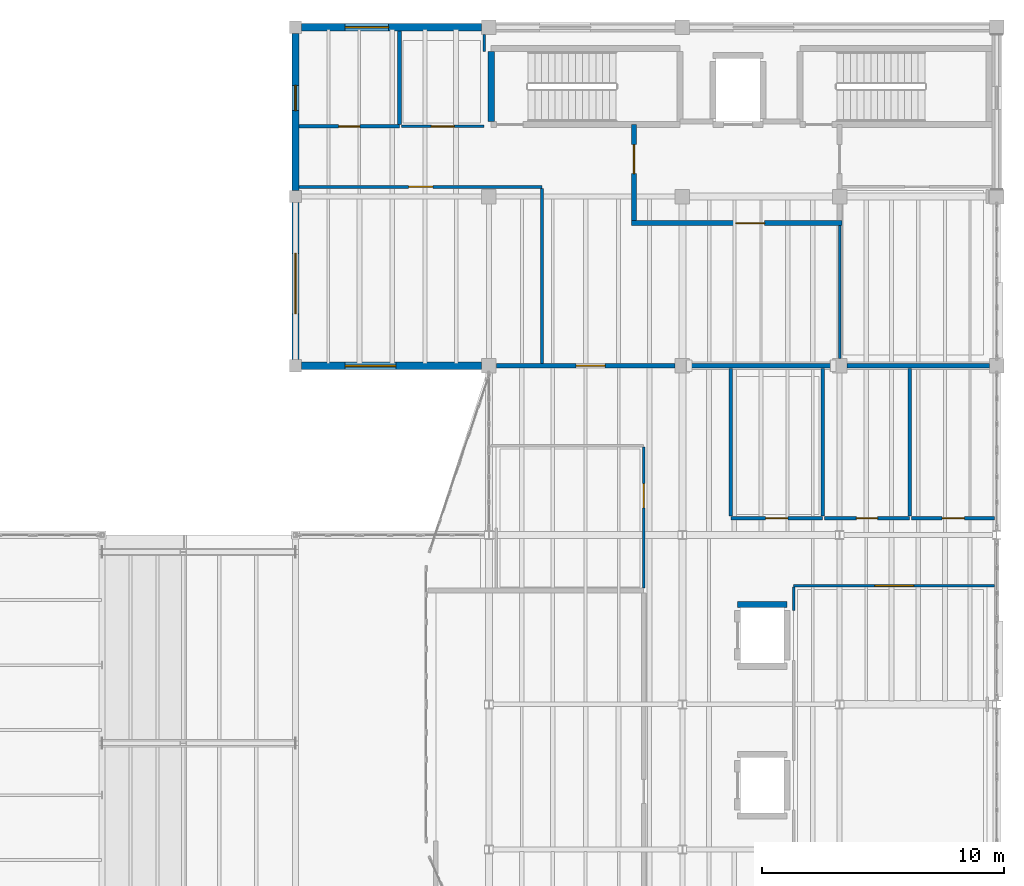
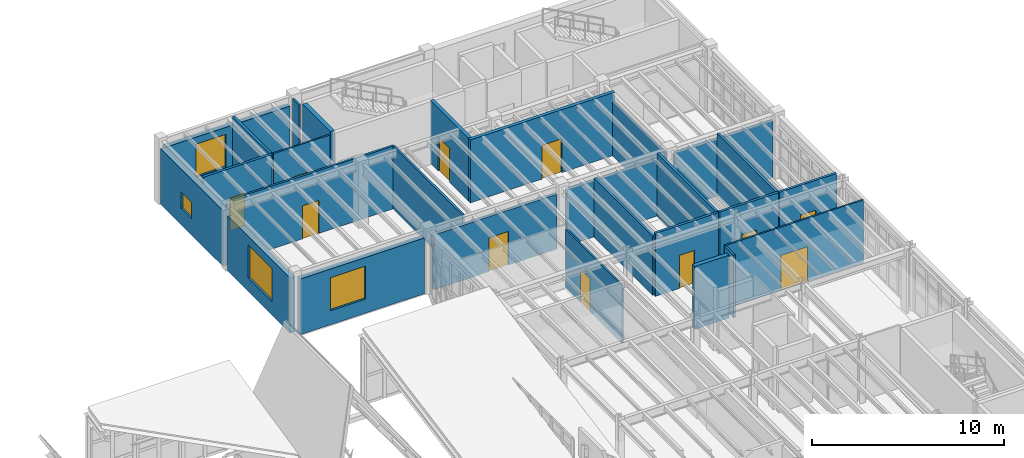
# One storey, part 73 of 77: 27 walls, 11 doors, 4 windows, 15 openings.
"""IFC4 building model written with IfcOpenShell, lengths in metres."""

from ifc_helpers import new_model, si_unit, direction, frame, frame_2d, origin, place, context, subcontext, project, spatial, rectangle, extrude, material, layer, layer_set, type_object, element, fill, save


model = new_model("IFC4")

# Units and contexts
model_context = context("Model", 3, precision=1e-05, world=origin(), true_north=direction((0.0, 1.0)))
body_context = subcontext(model_context, "Body", "Model", "MODEL_VIEW")
ifc_project = project(units=[si_unit("LENGTHUNIT", "METRE"), si_unit("AREAUNIT", "SQUARE_METRE"), si_unit("VOLUMEUNIT", "CUBIC_METRE"), si_unit("PLANEANGLEUNIT", "RADIAN"), si_unit("MASSUNIT", "GRAM", prefix="KILO"), si_unit("THERMODYNAMICTEMPERATUREUNIT", "KELVIN"), si_unit("POWERUNIT", "WATT")], contexts=[model_context])

# Site, building, storey
site_placement = place(None, origin())
site = spatial("IfcSite", under=ifc_project, at=site_placement, CompositionType="ELEMENT")
building_placement = place(site_placement, origin())
building = spatial("IfcBuilding", under=site, at=building_placement, Name="Zhenchuan Central Fire Station", CompositionType="ELEMENT")
storey_placement = place(building_placement, frame((0.0, 0.0, 10.050048828125)))
storey = spatial("IfcBuildingStorey", under=building, at=storey_placement, Name="L03", CompositionType="ELEMENT", Elevation=10.050048828125)

# Wall, opening, window
ifc_material_1 = material(Name="Sintered clay brick masonry MU15", Category="masonry")
ifc_layer_1 = layer(ifc_material_1, 0.300048828125, Name="Sintered clay brick masonry MU15", Category="masonry")
ifc_layer_set_1 = layer_set([ifc_layer_1], Name="Sintered clay brick masonry MU15")
wall_type_1 = type_object("IfcWallType", Name="EW-BRK300", PredefinedType="SOLIDWALL", material=ifc_layer_set_1)
wall_1_placement = place(storey_placement, frame((132.25, 56.5, 0.0), z_axis=(0.0, 0.0, 1.0), x_axis=(1.0, 0.0, 0.0)))
wall_1 = element("IfcWall", 1, at=wall_1_placement, inside=storey, type_object=wall_type_1, Name="EW-L03-V6N-0", PredefinedType="SOLIDWALL", context=body_context, shape_type="SweptSolid", body=[
    extrude(rectangle(XDim=7.449951171875, YDim=0.300048828125, at=frame_2d((3.72509765625, 0.0))), origin(), (0.0, 0.0, 1.0), 3.44384765625),
])
opening_1_placement = place(wall_1_placement, frame((1.800048828125, 0.0, 0.89990234375)))
opening_1 = element("IfcOpeningElement", 2, at=opening_1_placement, cuts=wall_1, Name="Opening W-35", PredefinedType="OPENING", context=body_context, shape_type="SweptSolid", body=[
    extrude(rectangle(XDim=1.800048828125, YDim=2.10009765625, at=frame_2d((0.89990234375, 1.050048828125))), frame((0.0, 0.159912109375, 0.0), z_axis=(0.0, -1.0, 0.0), x_axis=(1.0, 0.0, 0.0)), (0.0, 0.0, 1.0), 0.320068359375),
])
ifc_material_2 = material(Name="Laminated low-E double glazing in aluminium frame", Category="aluminium")
window_type_1 = type_object("IfcWindowType", Name="WN-35", PartitioningType="SINGLE_PANEL", PredefinedType="WINDOW", material=ifc_material_2)
window_1_placement = place(opening_1_placement, origin())
window_1 = element("IfcWindow", 3, at=window_1_placement, inside=storey, type_object=window_type_1, Name="Exterior Window 0113", OverallHeight=2.10009765625, OverallWidth=1.800048828125, PartitioningType="SINGLE_PANEL", PredefinedType="WINDOW", context=body_context, shape_type="SweptSolid", body=[
    extrude(rectangle(XDim=1.800048828125, YDim=2.10009765625, at=frame_2d((0.89990234375, 1.050048828125))), frame((0.0, 0.030029296875, 0.0), z_axis=(0.0, -1.0, 0.0), x_axis=(1.0, 0.0, 0.0)), (0.0, 0.0, 1.0), 0.06005859375),
])
fill(opening_1, window_1)

wall_2_placement = place(storey_placement, frame((132.0, 42.75, 0.0), z_axis=(0.0, 0.0, 1.0), x_axis=(0.0, 1.0, 0.0)))
wall_2 = element("IfcWall", 4, at=wall_2_placement, inside=storey, type_object=wall_type_1, Name="EW-L03-V6W-0", PredefinedType="SOLIDWALL", context=body_context, shape_type="SweptSolid", body=[
    extrude(rectangle(XDim=6.5, YDim=0.300048828125, at=frame_2d((3.25, 0.0))), origin(), (0.0, 0.0, 1.0), 3.493896484375),
])
opening_2_placement = place(wall_2_placement, frame((1.89990234375, 0.0, 0.85009765625)))
opening_2 = element("IfcOpeningElement", 5, at=opening_2_placement, cuts=wall_2, Name="Opening W-37", PredefinedType="OPENING", context=body_context, shape_type="SweptSolid", body=[
    extrude(rectangle(XDim=2.5, YDim=2.10009765625, at=frame_2d((1.25, 1.050048828125))), frame((0.0, 0.159912109375, 0.0), z_axis=(0.0, -1.0, 0.0), x_axis=(1.0, 0.0, 0.0)), (0.0, 0.0, 1.0), 0.320068359375),
])
window_type_2 = type_object("IfcWindowType", Name="WN-37", PartitioningType="SINGLE_PANEL", PredefinedType="WINDOW", material=ifc_material_2)
window_2_placement = place(opening_2_placement, origin())
window_2 = element("IfcWindow", 6, at=window_2_placement, inside=storey, type_object=window_type_2, Name="Exterior Window 0117", OverallHeight=2.10009765625, OverallWidth=2.5, PartitioningType="SINGLE_PANEL", PredefinedType="WINDOW", context=body_context, shape_type="SweptSolid", body=[
    extrude(rectangle(XDim=2.5, YDim=2.10009765625, at=frame_2d((1.25, 1.050048828125))), frame((0.0, 0.030029296875, 0.0), z_axis=(0.0, -1.0, 0.0), x_axis=(1.0, 0.0, 0.0)), (0.0, 0.0, 1.0), 0.06005859375),
])
fill(opening_2, window_2)

wall_3_placement = place(storey_placement, frame((132.0, 49.75, 0.0), z_axis=(0.0, 0.0, 1.0), x_axis=(0.0, 1.0, 0.0)))
wall_3 = element("IfcWall", 7, at=wall_3_placement, inside=storey, type_object=wall_type_1, Name="EW-L03-V6W-1", PredefinedType="SOLIDWALL", context=body_context, shape_type="SweptSolid", body=[
    extrude(rectangle(XDim=6.5, YDim=0.300048828125, at=frame_2d((3.25, 0.0))), origin(), (0.0, 0.0, 1.0), 3.5439453125),
])
opening_3_placement = place(wall_3_placement, frame((3.300048828125, 0.0, 1.050048828125)))
opening_3 = element("IfcOpeningElement", 8, at=opening_3_placement, cuts=wall_3, Name="Opening W-05", PredefinedType="OPENING", context=body_context, shape_type="SweptSolid", body=[
    extrude(rectangle(XDim=1.050048828125, YDim=1.050048828125, at=frame_2d((0.52490234375, 0.52490234375))), frame((0.0, 0.159912109375, 0.0), z_axis=(0.0, -1.0, 0.0), x_axis=(1.0, 0.0, 0.0)), (0.0, 0.0, 1.0), 0.320068359375),
])
window_type_3 = type_object("IfcWindowType", Name="WN-05", PartitioningType="SINGLE_PANEL", PredefinedType="WINDOW", material=ifc_material_2)
window_3_placement = place(opening_3_placement, origin())
window_3 = element("IfcWindow", 9, at=window_3_placement, inside=storey, type_object=window_type_3, Name="Exterior Window 0118", OverallHeight=1.050048828125, OverallWidth=1.050048828125, PartitioningType="SINGLE_PANEL", PredefinedType="WINDOW", context=body_context, shape_type="SweptSolid", body=[
    extrude(rectangle(XDim=1.050048828125, YDim=1.050048828125, at=frame_2d((0.52490234375, 0.52490234375))), frame((0.0, 0.030029296875, 0.0), z_axis=(0.0, -1.0, 0.0), x_axis=(1.0, 0.0, 0.0)), (0.0, 0.0, 1.0), 0.06005859375),
])
fill(opening_3, window_3)

wall_4_placement = place(storey_placement, frame((132.25, 42.5, 0.0), z_axis=(0.0, 0.0, 1.0), x_axis=(1.0, 0.0, 0.0)))
wall_4 = element("IfcWall", 10, at=wall_4_placement, inside=storey, type_object=wall_type_1, Name="EW-L03-V6S-0", PredefinedType="SOLIDWALL", context=body_context, shape_type="SweptSolid", body=[
    extrude(rectangle(XDim=7.449951171875, YDim=0.300048828125, at=frame_2d((3.72509765625, 0.0))), origin(), (0.0, 0.0, 1.0), 3.5439453125),
])
opening_4_placement = place(wall_4_placement, frame((1.800048828125, 0.0, 0.89990234375)))
opening_4 = element("IfcOpeningElement", 11, at=opening_4_placement, cuts=wall_4, Name="Opening W-36", PredefinedType="OPENING", context=body_context, shape_type="SweptSolid", body=[
    extrude(rectangle(XDim=2.10009765625, YDim=2.10009765625, at=frame_2d((1.050048828125, 1.050048828125))), frame((0.0, 0.159912109375, 0.0), z_axis=(0.0, -1.0, 0.0), x_axis=(1.0, 0.0, 0.0)), (0.0, 0.0, 1.0), 0.320068359375),
])
window_type_4 = type_object("IfcWindowType", Name="WN-36", PartitioningType="SINGLE_PANEL", PredefinedType="WINDOW", material=ifc_material_2)
window_4_placement = place(opening_4_placement, origin())
window_4 = element("IfcWindow", 12, at=window_4_placement, inside=storey, type_object=window_type_4, Name="Exterior Window 0119", OverallHeight=2.10009765625, OverallWidth=2.10009765625, PartitioningType="SINGLE_PANEL", PredefinedType="WINDOW", context=body_context, shape_type="SweptSolid", body=[
    extrude(rectangle(XDim=2.10009765625, YDim=2.10009765625, at=frame_2d((1.050048828125, 1.050048828125))), frame((0.0, 0.030029296875, 0.0), z_axis=(0.0, -1.0, 0.0), x_axis=(1.0, 0.0, 0.0)), (0.0, 0.0, 1.0), 0.06005859375),
])
fill(opening_4, window_4)

# Wall, opening, door
ifc_material_3 = material(Name="Autoclaved aerated concrete blockwork", Category="masonry")
ifc_layer_2 = layer(ifc_material_3, 0.14990234375, Name="Autoclaved aerated concrete blockwork", Category="masonry")
ifc_layer_set_2 = layer_set([ifc_layer_2], Name="Autoclaved aerated concrete blockwork")
wall_type_2 = type_object("IfcWallType", Name="IW-BLK150", PredefinedType="PARTITIONING", material=ifc_layer_set_2)
wall_5_placement = place(storey_placement, frame((150.0, 36.199951171875, 0.0), z_axis=(0.0, 0.0, 1.0), x_axis=(1.0, 0.0, 0.0)))
wall_5 = element("IfcWall", 13, at=wall_5_placement, inside=storey, type_object=wall_type_2, Name="Command Level Male WC S Partition", PredefinedType="PARTITIONING", context=body_context, shape_type="SweptSolid", body=[
    extrude(rectangle(XDim=3.800048828125, YDim=0.14990234375, at=frame_2d((1.89990234375, 0.0))), origin(), (0.0, 0.0, 1.0), 4.0),
])
opening_5_placement = place(wall_5_placement, frame((1.43994140625, 0.0, 0.0)))
opening_5 = element("IfcOpeningElement", 14, at=opening_5_placement, cuts=wall_5, Name="Opening D-164", PredefinedType="OPENING", context=body_context, shape_type="SweptSolid", body=[
    extrude(rectangle(XDim=0.919921875, YDim=2.10009765625, at=frame_2d((0.4599609375, 1.050048828125))), frame((0.0, 0.0849609375, 0.0), z_axis=(0.0, -1.0, 0.0), x_axis=(1.0, 0.0, 0.0)), (0.0, 0.0, 1.0), 0.169921875),
])
ifc_material_4 = material(Name="Moisture-resistant accessible WC door")
door_type_1 = type_object("IfcDoorType", Name="ID-WC-092x210", OperationType="NOTDEFINED", PredefinedType="DOOR", material=ifc_material_4)
door_1_placement = place(opening_5_placement, origin())
door_1 = element("IfcDoor", 15, at=door_1_placement, inside=storey, type_object=door_type_1, Name="Command Level Male WC Door", OperationType="SINGLE_SWING_RIGHT", OverallHeight=2.10009765625, OverallWidth=0.919921875, PredefinedType="DOOR", context=body_context, shape_type="SweptSolid", body=[
    extrude(rectangle(XDim=0.919921875, YDim=2.10009765625, at=frame_2d((0.4599609375, 1.050048828125))), frame((0.0, 0.02490234375, 0.0), z_axis=(0.0, -1.0, 0.0), x_axis=(1.0, 0.0, 0.0)), (0.0, 0.0, 1.0), 0.050048828125),
])
fill(opening_5, door_1)

# Walls
wall_6_placement = place(storey_placement, frame((150.0, 36.278076171875, 0.0), z_axis=(0.0, 0.0, 1.0), x_axis=(0.0, 1.0, 0.0)))
element("IfcWall", 16, at=wall_6_placement, inside=storey, type_object=wall_type_2, Name="Command Level Male WC W Partition", PredefinedType="PARTITIONING", context=body_context, shape_type="SweptSolid", body=[
    extrude(rectangle(XDim=6.118896484375, YDim=0.14990234375, at=frame_2d((3.0595703125, 0.0))), origin(), (0.0, 0.0, 1.0), 3.75),
])
wall_7_placement = place(storey_placement, frame((153.800048828125, 36.278076171875, 0.0), z_axis=(0.0, 0.0, 1.0), x_axis=(0.0, 1.0, 0.0)))
element("IfcWall", 17, at=wall_7_placement, inside=storey, type_object=wall_type_2, Name="Command Level Male WC E Partition", PredefinedType="PARTITIONING", context=body_context, shape_type="SweptSolid", body=[
    extrude(rectangle(XDim=6.118896484375, YDim=0.14990234375, at=frame_2d((3.0595703125, 0.0))), origin(), (0.0, 0.0, 1.0), 4.0),
])

# Wall, opening, door
wall_8_placement = place(storey_placement, frame((153.8779296875, 36.199951171875, 0.0), z_axis=(0.0, 0.0, 1.0), x_axis=(1.0, 0.0, 0.0)))
wall_8 = element("IfcWall", 18, at=wall_8_placement, inside=storey, type_object=wall_type_2, Name="Command Level Female WC S Partition", PredefinedType="PARTITIONING", context=body_context, shape_type="SweptSolid", body=[
    extrude(rectangle(XDim=3.52197265625, YDim=0.14990234375, at=frame_2d((1.760986328125, 0.0))), origin(), (0.0, 0.0, 1.0), 4.0),
])
opening_6_placement = place(wall_8_placement, frame((1.321044921875, 0.0, 0.0)))
opening_6 = element("IfcOpeningElement", 19, at=opening_6_placement, cuts=wall_8, Name="Opening D-165", PredefinedType="OPENING", context=body_context, shape_type="SweptSolid", body=[
    extrude(rectangle(XDim=0.8798828125, YDim=2.10009765625, at=frame_2d((0.43994140625, 1.050048828125))), frame((0.0, 0.0849609375, 0.0), z_axis=(0.0, -1.0, 0.0), x_axis=(1.0, 0.0, 0.0)), (0.0, 0.0, 1.0), 0.169921875),
])
ifc_material_5 = material(Name="Moisture-resistant washroom door")
door_type_2 = type_object("IfcDoorType", Name="ID-WC-088x210", OperationType="NOTDEFINED", PredefinedType="DOOR", material=ifc_material_5)
door_2_placement = place(opening_6_placement, origin())
door_2 = element("IfcDoor", 20, at=door_2_placement, inside=storey, type_object=door_type_2, Name="Command Level Female WC Door", OperationType="SINGLE_SWING_LEFT", OverallHeight=2.10009765625, OverallWidth=0.8798828125, PredefinedType="DOOR", context=body_context, shape_type="SweptSolid", body=[
    extrude(rectangle(XDim=0.8798828125, YDim=2.10009765625, at=frame_2d((0.43994140625, 1.050048828125))), frame((0.0, 0.02490234375, 0.0), z_axis=(0.0, -1.0, 0.0), x_axis=(1.0, 0.0, 0.0)), (0.0, 0.0, 1.0), 0.050048828125),
])
fill(opening_6, door_2)

# Wall
wall_9_placement = place(storey_placement, frame((157.39990234375, 36.278076171875, 0.0), z_axis=(0.0, 0.0, 1.0), x_axis=(0.0, 1.0, 0.0)))
element("IfcWall", 21, at=wall_9_placement, inside=storey, type_object=wall_type_2, Name="Command Level Female WC E Partition", PredefinedType="PARTITIONING", context=body_context, shape_type="SweptSolid", body=[
    extrude(rectangle(XDim=6.118896484375, YDim=0.14990234375, at=frame_2d((3.0595703125, 0.0))), origin(), (0.0, 0.0, 1.0), 4.0),
])

# Wall, opening, door
wall_10_placement = place(storey_placement, frame((157.47802734375, 36.199951171875, 0.0), z_axis=(0.0, 0.0, 1.0), x_axis=(1.0, 0.0, 0.0)))
wall_10 = element("IfcWall", 22, at=wall_10_placement, inside=storey, type_object=wall_type_2, Name="Command Level Accessible WC S Partition", PredefinedType="PARTITIONING", context=body_context, shape_type="SweptSolid", body=[
    extrude(rectangle(XDim=3.43896484375, YDim=0.14990234375, at=frame_2d((1.719482421875, 0.0))), origin(), (0.0, 0.0, 1.0), 4.0),
])
opening_7_placement = place(wall_10_placement, frame((1.259521484375, 0.0, 0.0)))
opening_7 = element("IfcOpeningElement", 23, at=opening_7_placement, cuts=wall_10, Name="Opening D-166", PredefinedType="OPENING", context=body_context, shape_type="SweptSolid", body=[
    extrude(rectangle(XDim=0.919921875, YDim=2.10009765625, at=frame_2d((0.4599609375, 1.050048828125))), frame((0.0, 0.0849609375, 0.0), z_axis=(0.0, -1.0, 0.0), x_axis=(1.0, 0.0, 0.0)), (0.0, 0.0, 1.0), 0.169921875),
])
door_3_placement = place(opening_7_placement, origin())
door_3 = element("IfcDoor", 24, at=door_3_placement, inside=storey, type_object=door_type_1, Name="Command Level Accessible WC Door", OperationType="SINGLE_SWING_RIGHT", OverallHeight=2.10009765625, OverallWidth=0.919921875, PredefinedType="DOOR", context=body_context, shape_type="SweptSolid", body=[
    extrude(rectangle(XDim=0.919921875, YDim=2.10009765625, at=frame_2d((0.4599609375, 1.050048828125))), frame((0.0, 0.02490234375, 0.0), z_axis=(0.0, -1.0, 0.0), x_axis=(1.0, 0.0, 0.0)), (0.0, 0.0, 1.0), 0.050048828125),
])
fill(opening_7, door_3)

wall_11_placement = place(storey_placement, frame((132.153076171875, 52.39990234375, 0.0), z_axis=(0.0, 0.0, 1.0), x_axis=(1.0, 0.0, 0.0)))
wall_11 = element("IfcWall", 25, at=wall_11_placement, inside=storey, type_object=wall_type_2, Name="Drill Tower Accessible WC L03 S Partition", PredefinedType="PARTITIONING", context=body_context, shape_type="SweptSolid", body=[
    extrude(rectangle(XDim=4.14697265625, YDim=0.14990234375, at=frame_2d((2.073486328125, 0.0))), origin(), (0.0, 0.0, 1.0), 4.0),
])
opening_8_placement = place(wall_11_placement, frame((1.633544921875, 0.0, 0.0)))
opening_8 = element("IfcOpeningElement", 26, at=opening_8_placement, cuts=wall_11, Name="Opening D-169", PredefinedType="OPENING", context=body_context, shape_type="SweptSolid", body=[
    extrude(rectangle(XDim=0.8798828125, YDim=2.10009765625, at=frame_2d((0.43994140625, 1.050048828125))), frame((0.0, 0.0849609375, 0.0), z_axis=(0.0, -1.0, 0.0), x_axis=(1.0, 0.0, 0.0)), (0.0, 0.0, 1.0), 0.169921875),
])
door_4_placement = place(opening_8_placement, origin())
door_4 = element("IfcDoor", 27, at=door_4_placement, inside=storey, type_object=door_type_2, Name="Drill Tower Accessible WC L03 Door", OperationType="SINGLE_SWING_LEFT", OverallHeight=2.10009765625, OverallWidth=0.8798828125, PredefinedType="DOOR", context=body_context, shape_type="SweptSolid", body=[
    extrude(rectangle(XDim=0.8798828125, YDim=2.10009765625, at=frame_2d((0.43994140625, 1.050048828125))), frame((0.0, 0.02490234375, 0.0), z_axis=(0.0, -1.0, 0.0), x_axis=(1.0, 0.0, 0.0)), (0.0, 0.0, 1.0), 0.050048828125),
])
fill(opening_8, door_4)

# Wall
wall_12_placement = place(storey_placement, frame((136.300048828125, 52.47802734375, 0.0), z_axis=(0.0, 0.0, 1.0), x_axis=(0.0, 1.0, 0.0)))
element("IfcWall", 28, at=wall_12_placement, inside=storey, type_object=wall_type_2, Name="Drill Tower Accessible WC L03 E Partition", PredefinedType="PARTITIONING", context=body_context, shape_type="SweptSolid", body=[
    extrude(rectangle(XDim=3.868896484375, YDim=0.14990234375, at=frame_2d((1.9345703125, 0.0))), origin(), (0.0, 0.0, 1.0), 4.0),
])

# Wall, opening, door
ifc_layer_3 = layer(ifc_material_3, 0.199951171875, Name="Autoclaved aerated concrete blockwork", Category="masonry")
ifc_layer_set_3 = layer_set([ifc_layer_3], Name="Autoclaved aerated concrete blockwork")
wall_type_3 = type_object("IfcWallType", Name="IW-FIR200", PredefinedType="PARTITIONING", material=ifc_layer_set_3)
wall_13_placement = place(storey_placement, frame((140.302001953125, 42.5, 0.0), z_axis=(0.0, 0.0, 1.0), x_axis=(1.0, 0.0, 0.0)))
wall_13 = element("IfcWall", 29, at=wall_13_placement, inside=storey, type_object=wall_type_3, Name="L03 HQ-Tower Fire Compartment Wall X=140.0..148.0", PredefinedType="PARTITIONING", context=body_context, shape_type="SweptSolid", body=[
    extrude(rectangle(XDim=7.39599609375, YDim=0.199951171875, at=frame_2d((3.697998046875, 0.0))), origin(), (0.0, 0.0, 1.0), 3.493896484375),
])
opening_9_placement = place(wall_13_placement, frame((3.298095703125, 0.0, 0.0)))
opening_9 = element("IfcOpeningElement", 30, at=opening_9_placement, cuts=wall_13, Name="Opening D-046", PredefinedType="OPENING", context=body_context, shape_type="SweptSolid", body=[
    extrude(rectangle(XDim=1.199951171875, YDim=2.14990234375, at=frame_2d((0.60009765625, 1.074951171875))), frame((0.0, 0.10986328125, 0.0), z_axis=(0.0, -1.0, 0.0), x_axis=(1.0, 0.0, 0.0)), (0.0, 0.0, 1.0), 0.219970703125),
])
ifc_material_6 = material(Name="Smoke-sealed steel fire lobby door", Category="steel")
door_type_3 = type_object("IfcDoorType", Name="ID-FFL-120x215", OperationType="NOTDEFINED", PredefinedType="DOOR", material=ifc_material_6)
door_5_placement = place(opening_9_placement, origin())
door_5 = element("IfcDoor", 31, at=door_5_placement, inside=storey, type_object=door_type_3, Name="V2-V6 L03 Link Fire Door", OperationType="SINGLE_SWING_RIGHT", OverallHeight=2.14990234375, OverallWidth=1.199951171875, PredefinedType="DOOR", context=body_context, shape_type="SweptSolid", body=[
    extrude(rectangle(XDim=1.199951171875, YDim=2.14990234375, at=frame_2d((0.60009765625, 1.074951171875))), frame((0.0, 0.02490234375, 0.0), z_axis=(0.0, -1.0, 0.0), x_axis=(1.0, 0.0, 0.0)), (0.0, 0.0, 1.0), 0.050048828125),
])
fill(opening_9, door_5)

# Walls
wall_14_placement = place(storey_placement, frame((148.302001953125, 42.5, 0.0), z_axis=(0.0, 0.0, 1.0), x_axis=(1.0, 0.0, 0.0)))
element("IfcWall", 32, at=wall_14_placement, inside=storey, type_object=wall_type_3, Name="L03 HQ-Tower Fire Compartment Wall X=148.0..154.5", PredefinedType="PARTITIONING", context=body_context, shape_type="SweptSolid", body=[
    extrude(rectangle(XDim=5.89599609375, YDim=0.199951171875, at=frame_2d((2.947998046875, 0.0))), origin(), (0.0, 0.0, 1.0), 3.553955078125),
])
wall_15_placement = place(storey_placement, frame((154.802001953125, 42.5, 0.0), z_axis=(0.0, 0.0, 1.0), x_axis=(1.0, 0.0, 0.0)))
element("IfcWall", 33, at=wall_15_placement, inside=storey, type_object=wall_type_3, Name="L03 HQ-Tower Fire Compartment Wall X=154.5..161.0", PredefinedType="PARTITIONING", context=body_context, shape_type="SweptSolid", body=[
    extrude(rectangle(XDim=5.89599609375, YDim=0.199951171875, at=frame_2d((2.947998046875, 0.0))), origin(), (0.0, 0.0, 1.0), 3.60400390625),
])

# Wall, opening, door
wall_16_placement = place(storey_placement, frame((145.89990234375, 48.39990234375, 0.0), z_axis=(0.0, 0.0, 1.0), x_axis=(1.0, 0.0, 0.0)))
wall_16 = element("IfcWall", 34, at=wall_16_placement, inside=storey, type_object=wall_type_3, Name="L03 Firefighting Lift Lobby South Wall", PredefinedType="PARTITIONING", context=body_context, shape_type="SweptSolid", body=[
    extrude(rectangle(XDim=8.7001953125, YDim=0.199951171875, at=frame_2d((4.35009765625, 0.0))), origin(), (0.0, 0.0, 1.0), 4.0),
])
opening_10_placement = place(wall_16_placement, frame((4.300048828125, 0.0, 0.0)))
opening_10 = element("IfcOpeningElement", 35, at=opening_10_placement, cuts=wall_16, Name="Opening D-054", PredefinedType="OPENING", context=body_context, shape_type="SweptSolid", body=[
    extrude(rectangle(XDim=1.199951171875, YDim=2.14990234375, at=frame_2d((0.60009765625, 1.074951171875))), frame((0.0, 0.10986328125, 0.0), z_axis=(0.0, -1.0, 0.0), x_axis=(1.0, 0.0, 0.0)), (0.0, 0.0, 1.0), 0.219970703125),
])
door_6_placement = place(opening_10_placement, origin())
door_6 = element("IfcDoor", 36, at=door_6_placement, inside=storey, type_object=door_type_3, Name="L03 Firefighting Lift Lobby South Door", OperationType="SINGLE_SWING_RIGHT", OverallHeight=2.14990234375, OverallWidth=1.199951171875, PredefinedType="DOOR", context=body_context, shape_type="SweptSolid", body=[
    extrude(rectangle(XDim=1.199951171875, YDim=2.14990234375, at=frame_2d((0.60009765625, 1.074951171875))), frame((0.0, 0.02490234375, 0.0), z_axis=(0.0, -1.0, 0.0), x_axis=(1.0, 0.0, 0.0)), (0.0, 0.0, 1.0), 0.050048828125),
])
fill(opening_10, door_6)

wall_17_placement = place(storey_placement, frame((146.0, 48.50390625, 0.0), z_axis=(0.0, 0.0, 1.0), x_axis=(0.0, 1.0, 0.0)))
wall_17 = element("IfcWall", 37, at=wall_17_placement, inside=storey, type_object=wall_type_3, Name="L03 Firefighting Lift Lobby West Wall", PredefinedType="PARTITIONING", context=body_context, shape_type="SweptSolid", body=[
    extrude(rectangle(XDim=3.967041015625, YDim=0.199951171875, at=frame_2d((1.9833984375, 0.0))), origin(), (0.0, 0.0, 1.0), 4.0),
])
opening_11_placement = place(wall_17_placement, frame((1.946044921875, 0.0, 0.0)))
opening_11 = element("IfcOpeningElement", 38, at=opening_11_placement, cuts=wall_17, Name="Opening D-055", PredefinedType="OPENING", context=body_context, shape_type="SweptSolid", body=[
    extrude(rectangle(XDim=1.199951171875, YDim=2.14990234375, at=frame_2d((0.60009765625, 1.074951171875))), frame((0.0, 0.10986328125, 0.0), z_axis=(0.0, -1.0, 0.0), x_axis=(1.0, 0.0, 0.0)), (0.0, 0.0, 1.0), 0.219970703125),
])
door_7_placement = place(opening_11_placement, origin())
door_7 = element("IfcDoor", 39, at=door_7_placement, inside=storey, type_object=door_type_3, Name="L03 Firefighting Lift Lobby West Door", OperationType="SINGLE_SWING_LEFT", OverallHeight=2.14990234375, OverallWidth=1.199951171875, PredefinedType="DOOR", context=body_context, shape_type="SweptSolid", body=[
    extrude(rectangle(XDim=1.199951171875, YDim=2.14990234375, at=frame_2d((0.60009765625, 1.074951171875))), frame((0.0, 0.02490234375, 0.0), z_axis=(0.0, -1.0, 0.0), x_axis=(1.0, 0.0, 0.0)), (0.0, 0.0, 1.0), 0.050048828125),
])
fill(opening_11, door_7)

ifc_material_7 = material(Name="Gypsum plasterboard on steel studs", Category="gypsum")
ifc_layer_4 = layer(ifc_material_7, 0.10009765625, Name="Gypsum plasterboard on steel studs", Category="gypsum")
ifc_layer_set_4 = layer_set([ifc_layer_4], Name="Gypsum plasterboard on steel studs")
wall_type_4 = type_object("IfcWallType", Name="IW-GYP100", PredefinedType="PARTITIONING", material=ifc_layer_set_4)
wall_18_placement = place(storey_placement, frame((146.39990234375, 33.302978515625, 0.0), z_axis=(0.0, 0.0, 1.0), x_axis=(0.0, 1.0, 0.0)))
wall_18 = element("IfcWall", 40, at=wall_18_placement, inside=storey, type_object=wall_type_4, Name="Detachment Commander Suite E Partition", PredefinedType="PARTITIONING", context=body_context, shape_type="SweptSolid", body=[
    extrude(rectangle(XDim=5.843994140625, YDim=0.10009765625, at=frame_2d((2.921875, 0.0))), origin(), (0.0, 0.0, 1.0), 3.699951171875),
])
opening_12_placement = place(wall_18_placement, frame((3.322021484375, 0.0, 0.0)))
opening_12 = element("IfcOpeningElement", 41, at=opening_12_placement, cuts=wall_18, Name="Opening D-161", PredefinedType="OPENING", context=body_context, shape_type="SweptSolid", body=[
    extrude(rectangle(XDim=1.0, YDim=2.10009765625, at=frame_2d((0.5, 1.050048828125))), frame((0.0, 0.06005859375, 0.0), z_axis=(0.0, -1.0, 0.0), x_axis=(1.0, 0.0, 0.0)), (0.0, 0.0, 1.0), 0.1201171875),
])
ifc_material_8 = material(Name="Solid-core timber office door", Category="wood")
door_type_4 = type_object("IfcDoorType", Name="ID-OFF-100x210", OperationType="NOTDEFINED", PredefinedType="DOOR", material=ifc_material_8)
door_8_placement = place(opening_12_placement, origin())
door_8 = element("IfcDoor", 42, at=door_8_placement, inside=storey, type_object=door_type_4, Name="Detachment Commander Suite Door", OperationType="SINGLE_SWING_LEFT", OverallHeight=2.10009765625, OverallWidth=1.0, PredefinedType="DOOR", context=body_context, shape_type="SweptSolid", body=[
    extrude(rectangle(XDim=1.0, YDim=2.10009765625, at=frame_2d((0.5, 1.050048828125))), frame((0.0, 0.02490234375, 0.0), z_axis=(0.0, -1.0, 0.0), x_axis=(1.0, 0.0, 0.0)), (0.0, 0.0, 1.0), 0.050048828125),
])
fill(opening_12, door_8)

wall_19_placement = place(storey_placement, frame((152.60009765625, 33.39990234375, 0.0), z_axis=(0.0, 0.0, 1.0), x_axis=(1.0, 0.0, 0.0)))
wall_19 = element("IfcWall", 43, at=wall_19_placement, inside=storey, type_object=wall_type_4, Name="Operations Conference Room N Partition", PredefinedType="PARTITIONING", context=body_context, shape_type="SweptSolid", body=[
    extrude(rectangle(XDim=8.31689453125, YDim=0.10009765625, at=frame_2d((4.158447265625, 0.0))), origin(), (0.0, 0.0, 1.0), 4.0),
])
opening_13_placement = place(wall_19_placement, frame((3.3583984375, 0.0, 0.0)))
opening_13 = element("IfcOpeningElement", 44, at=opening_13_placement, cuts=wall_19, Name="Opening D-163", PredefinedType="OPENING", context=body_context, shape_type="SweptSolid", body=[
    extrude(rectangle(XDim=1.60009765625, YDim=2.199951171875, at=frame_2d((0.800048828125, 1.10009765625))), frame((0.0, 0.06005859375, 0.0), z_axis=(0.0, -1.0, 0.0), x_axis=(1.0, 0.0, 0.0)), (0.0, 0.0, 1.0), 0.1201171875),
])
ifc_material_9 = material(Name="Glazed timber double corridor fire door", Category="wood")
door_type_5 = type_object("IfcDoorType", Name="ID-COR-160x220", OperationType="NOTDEFINED", PredefinedType="DOOR", material=ifc_material_9)
door_9_placement = place(opening_13_placement, origin())
door_9 = element("IfcDoor", 45, at=door_9_placement, inside=storey, type_object=door_type_5, Name="Operations Conference Room Door", OperationType="SINGLE_SWING_LEFT", OverallHeight=2.199951171875, OverallWidth=1.60009765625, PredefinedType="DOOR", context=body_context, shape_type="SweptSolid", body=[
    extrude(rectangle(XDim=1.60009765625, YDim=2.199951171875, at=frame_2d((0.800048828125, 1.10009765625))), frame((0.0, 0.02490234375, 0.0), z_axis=(0.0, -1.0, 0.0), x_axis=(1.0, 0.0, 0.0)), (0.0, 0.0, 1.0), 0.050048828125),
])
fill(opening_13, door_9)

# Walls
wall_20_placement = place(storey_placement, frame((152.60009765625, 32.3779296875, 0.0), z_axis=(0.0, 0.0, 1.0), x_axis=(0.0, 1.0, 0.0)))
element("IfcWall", 46, at=wall_20_placement, inside=storey, type_object=wall_type_4, Name="Operations Conference Room W Partition 3", PredefinedType="PARTITIONING", context=body_context, shape_type="SweptSolid", body=[
    extrude(rectangle(XDim=0.968994140625, YDim=0.10009765625, at=frame_2d((0.484375, 0.0))), origin(), (0.0, 0.0, 1.0), 4.0),
])
wall_21_placement = place(storey_placement, frame((154.5, 42.802978515625, 0.0), z_axis=(0.0, 0.0, 1.0), x_axis=(0.0, 1.0, 0.0)))
element("IfcWall", 47, at=wall_21_placement, inside=storey, type_object=wall_type_4, Name="Standpipe Riser Tactical Bay W Partition", PredefinedType="PARTITIONING", context=body_context, shape_type="SweptSolid", body=[
    extrude(rectangle(XDim=5.494140625, YDim=0.10009765625, at=frame_2d((2.7470703125, 0.0))), origin(), (0.0, 0.0, 1.0), 3.493896484375),
])

# Wall, opening, door
wall_22_placement = place(storey_placement, frame((136.3779296875, 52.39990234375, 0.0), z_axis=(0.0, 0.0, 1.0), x_axis=(1.0, 0.0, 0.0)))
wall_22 = element("IfcWall", 48, at=wall_22_placement, inside=storey, type_object=wall_type_4, Name="Drill Tower Cleaner Store L03 S Partition", PredefinedType="PARTITIONING", context=body_context, shape_type="SweptSolid", body=[
    extrude(rectangle(XDim=3.422119140625, YDim=0.10009765625, at=frame_2d((1.7109375, 0.0))), origin(), (0.0, 0.0, 1.0), 4.0),
])
opening_14_placement = place(wall_22_placement, frame((1.236083984375, 0.0, 0.0)))
opening_14 = element("IfcOpeningElement", 49, at=opening_14_placement, cuts=wall_22, Name="Opening D-170", PredefinedType="OPENING", context=body_context, shape_type="SweptSolid", body=[
    extrude(rectangle(XDim=0.949951171875, YDim=2.10009765625, at=frame_2d((0.47509765625, 1.050048828125))), frame((0.0, 0.06005859375, 0.0), z_axis=(0.0, -1.0, 0.0), x_axis=(1.0, 0.0, 0.0)), (0.0, 0.0, 1.0), 0.1201171875),
])
ifc_material_10 = material(Name="Painted steel store room fire door", Category="steel")
door_type_6 = type_object("IfcDoorType", Name="ID-STR-095x210", OperationType="NOTDEFINED", PredefinedType="DOOR", material=ifc_material_10)
door_10_placement = place(opening_14_placement, origin())
door_10 = element("IfcDoor", 50, at=door_10_placement, inside=storey, type_object=door_type_6, Name="Drill Tower Cleaner Store L03 Door", OperationType="SINGLE_SWING_RIGHT", OverallHeight=2.10009765625, OverallWidth=0.949951171875, PredefinedType="DOOR", context=body_context, shape_type="SweptSolid", body=[
    extrude(rectangle(XDim=0.949951171875, YDim=2.10009765625, at=frame_2d((0.47509765625, 1.050048828125))), frame((0.0, 0.02490234375, 0.0), z_axis=(0.0, -1.0, 0.0), x_axis=(1.0, 0.0, 0.0)), (0.0, 0.0, 1.0), 0.050048828125),
])
fill(opening_14, door_10)

# Wall
wall_23_placement = place(storey_placement, frame((139.800048828125, 55.5029296875, 0.0), z_axis=(0.0, 0.0, 1.0), x_axis=(0.0, 1.0, 0.0)))
element("IfcWall", 51, at=wall_23_placement, inside=storey, type_object=wall_type_4, Name="Drill Tower Cleaner Store L03 E Partition", PredefinedType="PARTITIONING", context=body_context, shape_type="SweptSolid", body=[
    extrude(rectangle(XDim=0.694091796875, YDim=0.10009765625, at=frame_2d((0.34716796875, 0.0))), origin(), (0.0, 0.0, 1.0), 4.0),
])

# Wall, opening, door
ifc_layer_5 = layer(ifc_material_7, 0.1201171875, Name="Gypsum plasterboard on steel studs", Category="gypsum")
ifc_layer_set_5 = layer_set([ifc_layer_5], Name="Gypsum plasterboard on steel studs")
wall_type_5 = type_object("IfcWallType", Name="IW-GYP120", PredefinedType="PARTITIONING", material=ifc_layer_set_5)
wall_24_placement = place(storey_placement, frame((132.153076171875, 49.89990234375, 0.0), z_axis=(0.0, 0.0, 1.0), x_axis=(1.0, 0.0, 0.0)))
wall_24 = element("IfcWall", 52, at=wall_24_placement, inside=storey, type_object=wall_type_5, Name="Darkened Search Maze L03 N Partition", PredefinedType="PARTITIONING", context=body_context, shape_type="SweptSolid", body=[
    extrude(rectangle(XDim=10.046875, YDim=0.1201171875, at=frame_2d((5.0234375, 0.0))), origin(), (0.0, 0.0, 1.0), 4.0),
])
opening_15_placement = place(wall_24_placement, frame((4.5234375, 0.0, 0.0)))
opening_15 = element("IfcOpeningElement", 53, at=opening_15_placement, cuts=wall_24, Name="Opening D-167", PredefinedType="OPENING", context=body_context, shape_type="SweptSolid", body=[
    extrude(rectangle(XDim=1.0, YDim=2.10009765625, at=frame_2d((0.5, 1.050048828125))), frame((0.0, 0.070068359375, 0.0), z_axis=(0.0, -1.0, 0.0), x_axis=(1.0, 0.0, 0.0)), (0.0, 0.0, 1.0), 0.14013671875),
])
door_11_placement = place(opening_15_placement, origin())
door_11 = element("IfcDoor", 54, at=door_11_placement, inside=storey, type_object=door_type_4, Name="Darkened Search Maze L03 Door", OperationType="SINGLE_SWING_LEFT", OverallHeight=2.10009765625, OverallWidth=1.0, PredefinedType="DOOR", context=body_context, shape_type="SweptSolid", body=[
    extrude(rectangle(XDim=1.0, YDim=2.10009765625, at=frame_2d((0.5, 1.050048828125))), frame((0.0, 0.02490234375, 0.0), z_axis=(0.0, -1.0, 0.0), x_axis=(1.0, 0.0, 0.0)), (0.0, 0.0, 1.0), 0.050048828125),
])
fill(opening_15, door_11)

# Walls
wall_25_placement = place(storey_placement, frame((142.199951171875, 42.60302734375, 0.0), z_axis=(0.0, 0.0, 1.0), x_axis=(0.0, 1.0, 0.0)))
element("IfcWall", 55, at=wall_25_placement, inside=storey, type_object=wall_type_5, Name="Darkened Search Maze L03 E Partition", PredefinedType="PARTITIONING", context=body_context, shape_type="SweptSolid", body=[
    extrude(rectangle(XDim=7.23388671875, YDim=0.1201171875, at=frame_2d((3.616943359375, 0.0))), origin(), (0.0, 0.0, 1.0), 4.0),
])
ifc_material_11 = material(Name="Concrete C40/50", Category="concrete")
ifc_layer_6 = layer(ifc_material_11, 0.25, Name="Concrete C40/50", Category="concrete")
ifc_layer_set_6 = layer_set([ifc_layer_6], Name="Concrete C40/50")
wall_type_6 = type_object("IfcWallType", Name="IW-SHR250", PredefinedType="SHEAR", material=ifc_layer_set_6)
wall_26_placement = place(storey_placement, frame((140.094970703125, 52.60009765625, 0.0), z_axis=(0.0, 0.0, 1.0), x_axis=(0.0, 1.0, 0.0)))
element("IfcWall", 56, at=wall_26_placement, inside=storey, type_object=wall_type_6, Name="ST-12 L03 West Core Wall", PredefinedType="SHEAR", context=body_context, shape_type="SweptSolid", body=[
    extrude(rectangle(XDim=2.89990234375, YDim=0.25, at=frame_2d((1.449951171875, 0.0))), origin(), (0.0, 0.0, 1.0), 4.0),
])
wall_27_placement = place(storey_placement, frame((150.27490234375, 32.625, 0.0), z_axis=(0.0, 0.0, 1.0), x_axis=(1.0, 0.0, 0.0)))
element("IfcWall", 57, at=wall_27_placement, inside=storey, type_object=wall_type_6, Name="Lift LP-02 L03 North Shaft Wall", PredefinedType="SHEAR", context=body_context, shape_type="SweptSolid", body=[
    extrude(rectangle(XDim=2.050048828125, YDim=0.25, at=frame_2d((1.02490234375, 0.0))), origin(), (0.0, 0.0, 1.0), 4.0),
])

save(model, "model.ifc")
